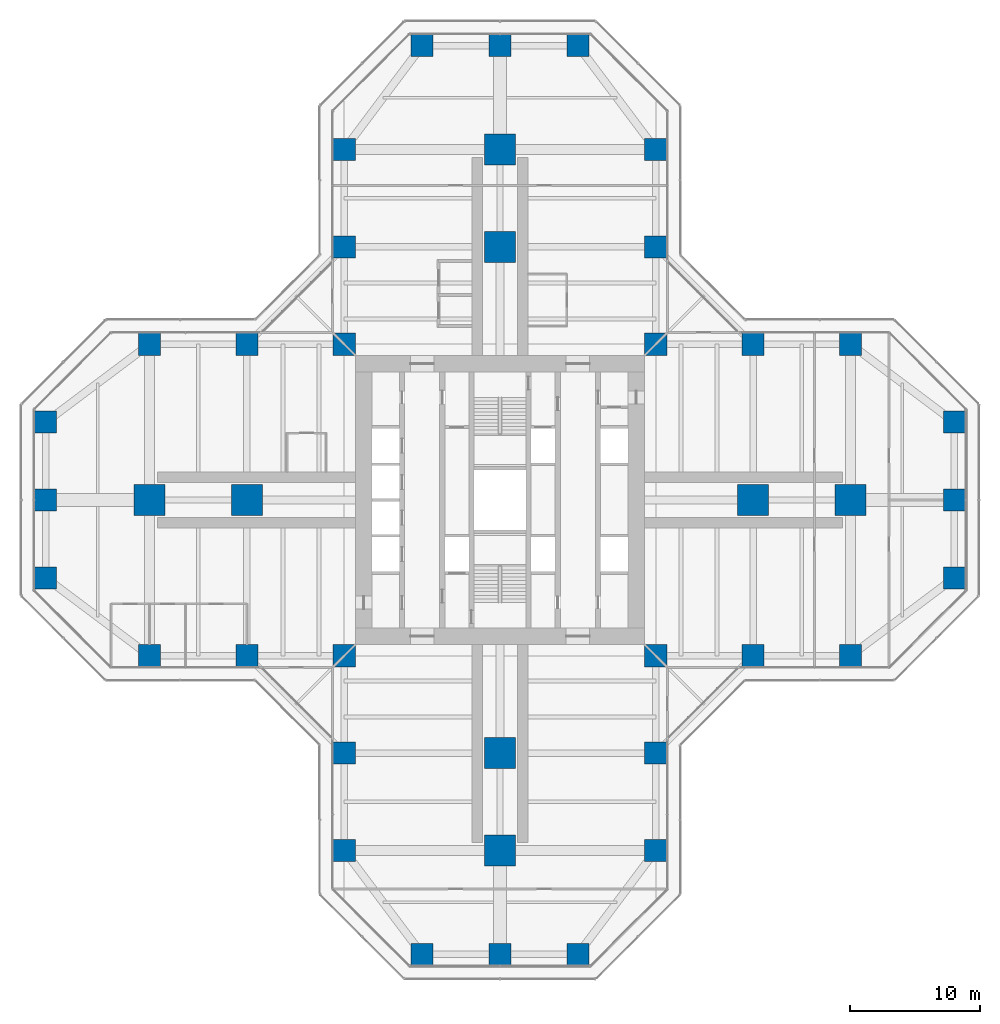
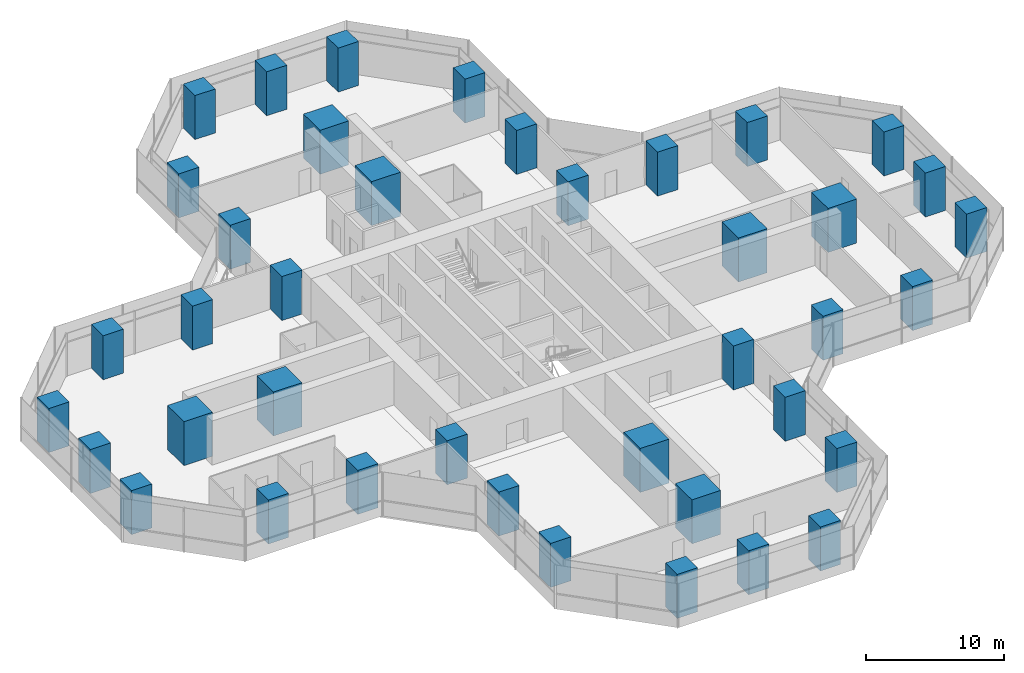
# One storey, part 1 of 22: 40 columns.
"""IFC4 building model written with IfcOpenShell, lengths in metres."""

from ifc_helpers import new_model, si_unit, direction, frame, origin, origin_2d, place, context, subcontext, project, spatial, rectangle, extrude, material, material_profile, profile_set, type_object, element, save


model = new_model("IFC4")

# Units and contexts
model_context = context("Model", 3, precision=1e-05, world=origin(), true_north=direction((0.0, 1.0)))
body_context = subcontext(model_context, "Body", "Model", "MODEL_VIEW")
ifc_project = project(units=[si_unit("LENGTHUNIT", "METRE"), si_unit("AREAUNIT", "SQUARE_METRE"), si_unit("VOLUMEUNIT", "CUBIC_METRE"), si_unit("PLANEANGLEUNIT", "RADIAN"), si_unit("MASSUNIT", "GRAM", prefix="KILO")], contexts=[model_context])

# Site, building, storey
site_placement = place(None, origin())
site = spatial("IfcSite", under=ifc_project, at=site_placement, CompositionType="ELEMENT")
building_placement = place(site_placement, origin())
building = spatial("IfcBuilding", under=site, at=building_placement, Name="Mizan Broadcast Tower", CompositionType="ELEMENT")
storey_placement = place(building_placement, frame((0.0, 0.0, 74.699951171875)))
storey = spatial("IfcBuildingStorey", under=building, at=storey_placement, Name="L15", CompositionType="ELEMENT", Elevation=74.699951171875)

# Columns
ifc_material_1 = material(Name="Concrete C70/85", Category="concrete")
ifc_material_profile_1 = material_profile(ifc_material_1, rectangle(XDim=1.699951171875, YDim=1.699951171875, at=origin_2d()), Name="RC 1700x1700")
ifc_profile_set_1 = profile_set([ifc_material_profile_1], Name="Concrete C70/85")
column_type_1 = type_object("IfcColumnType", Name="RC COLUMN 1700x1700 C70/85", PredefinedType="COLUMN", material=ifc_profile_set_1)
for number, where, z_axis, x_axis, name in (
    (1, (-6.0, -35.0, 0.0), (0.0, 0.0, 1.0), (1.0, 0.0, 0.0), "Column 5/A L15"),
    (2, (0.0, -35.0, 0.0), (0.0, 0.0, 1.0), (1.0, 0.0, 0.0), "Column 6/A L15"),
    (3, (6.0, -35.0, 0.0), (0.0, 0.0, 1.0), (1.0, 0.0, 0.0), "Column 7/A L15"),
    (4, (-12.0, -27.0, 0.0), (0.0, 0.0, 1.0), (1.0, 0.0, 0.0), "Column 4/B L15"),
    (5, (12.0, -27.0, 0.0), (0.0, 0.0, 1.0), (1.0, 0.0, 0.0), "Column 8/B L15"),
    (6, (-12.0, -19.5, 0.0), (0.0, 0.0, 1.0), (1.0, 0.0, 0.0), "Column 4/C L15"),
    (7, (12.0, -19.5, 0.0), (0.0, 0.0, 1.0), (1.0, 0.0, 0.0), "Column 8/C L15"),
    (8, (-27.0, -12.0, 0.0), (0.0, 0.0, 1.0), (1.0, 0.0, 0.0), "Column 2/D L15"),
    (9, (-19.5, -12.0, 0.0), (0.0, 0.0, 1.0), (1.0, 0.0, 0.0), "Column 3/D L15"),
    (10, (-12.0, -12.0, 0.0), (0.0, 0.0, 1.0), (1.0, 0.0, 0.0), "Column 4/D L15"),
    (11, (12.0, -12.0, 0.0), (0.0, 0.0, 1.0), (1.0, 0.0, 0.0), "Column 8/D L15"),
    (12, (19.5, -12.0, 0.0), (0.0, 0.0, 1.0), (1.0, 0.0, 0.0), "Column 9/D L15"),
    (13, (27.0, -12.0, 0.0), (0.0, 0.0, 1.0), (1.0, 0.0, 0.0), "Column 10/D L15"),
    (14, (-35.0, -6.0, 0.0), (0.0, 0.0, 1.0), (1.0, 0.0, 0.0), "Column 1/E L15"),
    (15, (35.0, -6.0, 0.0), (0.0, 0.0, 1.0), (1.0, 0.0, 0.0), "Column 11/E L15"),
    (16, (-35.0, 0.0, 0.0), (0.0, 0.0, 1.0), (1.0, 0.0, 0.0), "Column 1/F L15"),
    (17, (35.0, 0.0, 0.0), (0.0, 0.0, 1.0), (1.0, 0.0, 0.0), "Column 11/F L15"),
    (18, (-35.0, 6.0, 0.0), (0.0, 0.0, 1.0), (1.0, 0.0, 0.0), "Column 1/G L15"),
    (19, (35.0, 6.0, 0.0), (0.0, 0.0, 1.0), (1.0, 0.0, 0.0), "Column 11/G L15"),
    (20, (-27.0, 12.0, 0.0), (0.0, 0.0, 1.0), (1.0, 0.0, 0.0), "Column 2/H L15"),
    (21, (-19.5, 12.0, 0.0), (0.0, 0.0, 1.0), (1.0, 0.0, 0.0), "Column 3/H L15"),
    (22, (-12.0, 12.0, 0.0), (0.0, 0.0, 1.0), (1.0, 0.0, 0.0), "Column 4/H L15"),
    (23, (12.0, 12.0, 0.0), (0.0, 0.0, 1.0), (1.0, 0.0, 0.0), "Column 8/H L15"),
    (24, (19.5, 12.0, 0.0), (0.0, 0.0, 1.0), (1.0, 0.0, 0.0), "Column 9/H L15"),
    (25, (27.0, 12.0, 0.0), (0.0, 0.0, 1.0), (1.0, 0.0, 0.0), "Column 10/H L15"),
    (26, (-12.0, 19.5, 0.0), (0.0, 0.0, 1.0), (1.0, 0.0, 0.0), "Column 4/J L15"),
    (27, (12.0, 19.5, 0.0), (0.0, 0.0, 1.0), (1.0, 0.0, 0.0), "Column 8/J L15"),
    (28, (-12.0, 27.0, 0.0), (0.0, 0.0, 1.0), (1.0, 0.0, 0.0), "Column 4/K L15"),
    (29, (12.0, 27.0, 0.0), (0.0, 0.0, 1.0), (1.0, 0.0, 0.0), "Column 8/K L15"),
    (30, (-6.0, 35.0, 0.0), (0.0, 0.0, 1.0), (1.0, 0.0, 0.0), "Column 5/L L15"),
    (31, (0.0, 35.0, 0.0), (0.0, 0.0, 1.0), (1.0, 0.0, 0.0), "Column 6/L L15"),
    (32, (6.0, 35.0, 0.0), (0.0, 0.0, 1.0), (1.0, 0.0, 0.0), "Column 7/L L15"),
):
    element("IfcColumn", number, at=place(storey_placement, frame(where, z_axis=z_axis, x_axis=x_axis)), inside=storey, type_object=column_type_1, Name=name, PredefinedType="COLUMN", context=body_context, shape_type="SweptSolid", body=[
        extrude(rectangle(XDim=1.699951171875, YDim=1.699951171875, at=origin_2d()), origin(), (0.0, 0.0, 1.0), 3.900146484375),
    ])
ifc_material_2 = material(Name="Concrete C70/85", Category="concrete")
ifc_material_profile_2 = material_profile(ifc_material_2, rectangle(XDim=2.39990234375, YDim=2.39990234375, at=origin_2d()), Name="RC 2400x2400")
ifc_profile_set_2 = profile_set([ifc_material_profile_2], Name="Concrete C70/85")
column_type_2 = type_object("IfcColumnType", Name="RC COLUMN 2400x2400 C70/85", PredefinedType="COLUMN", material=ifc_profile_set_2)
for number, where, z_axis, x_axis, name in (
    (33, (0.0, -27.0, 0.0), (0.0, 0.0, 1.0), (1.0, 0.0, 0.0), "Column 6/B L15"),
    (34, (0.0, -19.5, 0.0), (0.0, 0.0, 1.0), (1.0, 0.0, 0.0), "Column 6/C L15"),
    (35, (-27.0, 0.0, 0.0), (0.0, 0.0, 1.0), (1.0, 0.0, 0.0), "Column 2/F L15"),
    (36, (-19.5, 0.0, 0.0), (0.0, 0.0, 1.0), (1.0, 0.0, 0.0), "Column 3/F L15"),
    (37, (19.5, 0.0, 0.0), (0.0, 0.0, 1.0), (1.0, 0.0, 0.0), "Column 9/F L15"),
    (38, (27.0, 0.0, 0.0), (0.0, 0.0, 1.0), (1.0, 0.0, 0.0), "Column 10/F L15"),
    (39, (0.0, 19.5, 0.0), (0.0, 0.0, 1.0), (1.0, 0.0, 0.0), "Column 6/J L15"),
    (40, (0.0, 27.0, 0.0), (0.0, 0.0, 1.0), (1.0, 0.0, 0.0), "Column 6/K L15"),
):
    element("IfcColumn", number, at=place(storey_placement, frame(where, z_axis=z_axis, x_axis=x_axis)), inside=storey, type_object=column_type_2, Name=name, PredefinedType="COLUMN", context=body_context, shape_type="SweptSolid", body=[
        extrude(rectangle(XDim=2.39990234375, YDim=2.39990234375, at=origin_2d()), origin(), (0.0, 0.0, 1.0), 3.900146484375),
    ])

save(model, "model.ifc")
